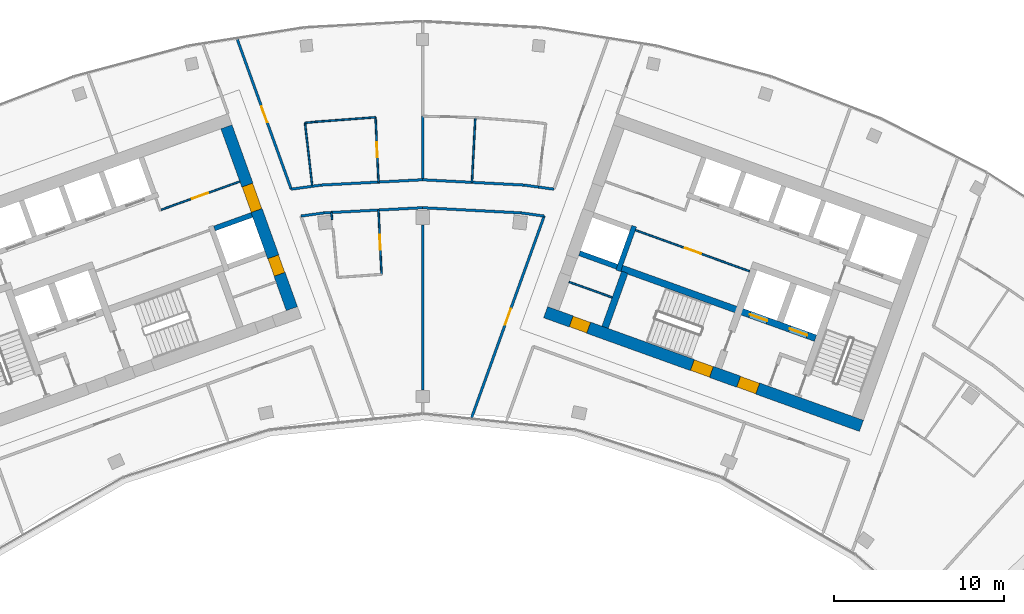
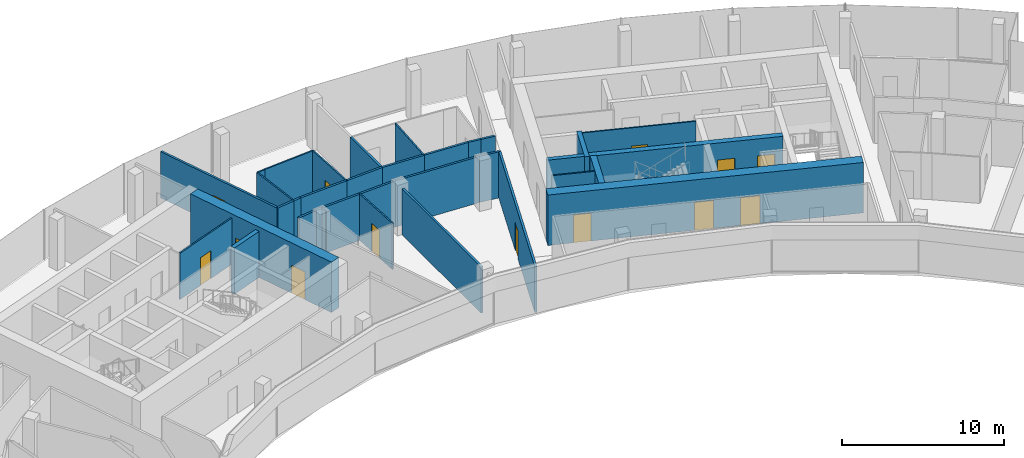
# One storey, part 14 of 18: 35 walls, 13 doors, 13 openings.
"""IFC4 building model written with IfcOpenShell, lengths in metres."""

from ifc_helpers import new_model, si_unit, direction, frame, frame_2d, origin, place, context, subcontext, project, spatial, rectangle, extrude, material, layer, layer_set, type_object, element, fill, save


model = new_model("IFC4")

# Units and contexts
model_context = context("Model", 3, precision=1e-05, world=origin(), true_north=direction((0.0, 1.0)))
body_context = subcontext(model_context, "Body", "Model", "MODEL_VIEW")
ifc_project = project(units=[si_unit("LENGTHUNIT", "METRE"), si_unit("AREAUNIT", "SQUARE_METRE"), si_unit("VOLUMEUNIT", "CUBIC_METRE"), si_unit("PLANEANGLEUNIT", "RADIAN"), si_unit("MASSUNIT", "GRAM", prefix="KILO")], contexts=[model_context])

# Site, building, storey
site_placement = place(None, origin())
site = spatial("IfcSite", under=ifc_project, at=site_placement, CompositionType="ELEMENT")
building_placement = place(site_placement, origin())
building = spatial("IfcBuilding", under=site, at=building_placement, Name="Stone Belt Terrace Tower", CompositionType="ELEMENT")
storey_placement = place(building_placement, frame((0.0, 0.0, 288.39990234375)))
storey = spatial("IfcBuildingStorey", under=building, at=storey_placement, Name="L70", CompositionType="ELEMENT", Elevation=288.39990234375)

# Wall, opening, door
ifc_material_1 = material(Name="Plasterboard partition")
ifc_layer_1 = layer(ifc_material_1, 0.10009765625)
ifc_layer_set_1 = layer_set([ifc_layer_1], Name="Core partition 100")
wall_type_1 = type_object("IfcWallType", Name="Core partition 100", PredefinedType="PARTITIONING", material=ifc_layer_set_1)
wall_1_placement = place(storey_placement, frame((-15.43798828125, 55.447998046875, 0.0), z_axis=(0.0, 0.0, 1.0), x_axis=(0.940914445113, 0.338644366522, 0.0)))
wall_1 = element("IfcWall", 1, at=wall_1_placement, inside=storey, type_object=wall_type_1, Name="Core A wall", PredefinedType="PARTITIONING", context=body_context, shape_type="SweptSolid", body=[
    extrude(rectangle(XDim=4.949951171875, YDim=0.10009765625, at=frame_2d((2.47509765625, 0.0))), origin(), (0.0, 0.0, 1.0), 3.47998046875),
])
opening_1_placement = place(wall_1_placement, frame((1.949951171875, 0.0, 0.0)))
opening_1 = element("IfcOpeningElement", 2, at=opening_1_placement, cuts=wall_1, Name="Opening L70-C01", PredefinedType="OPENING", context=body_context, shape_type="SweptSolid", body=[
    extrude(rectangle(XDim=1.0, YDim=2.10009765625, at=frame_2d((0.5, 1.050048828125))), frame((0.0, 0.06005859375, 0.0), z_axis=(0.0, -1.0, 0.0), x_axis=(1.0, 0.0, 0.0)), (0.0, 0.0, 1.0), 0.1201171875),
])
ifc_material_2 = material(Name="Timber door leaf", Category="wood")
door_type_1 = type_object("IfcDoorType", Name="Core room door 1000", OperationType="SINGLE_SWING_LEFT", PredefinedType="DOOR", material=ifc_material_2)
door_1_placement = place(opening_1_placement, origin())
door_1 = element("IfcDoor", 3, at=door_1_placement, inside=storey, type_object=door_type_1, Name="Door to Server room core A", OperationType="SINGLE_SWING_RIGHT", OverallHeight=2.10009765625, OverallWidth=1.0, PredefinedType="DOOR", context=body_context, shape_type="SweptSolid", body=[
    extrude(rectangle(XDim=1.0, YDim=2.10009765625, at=frame_2d((0.5, 1.050048828125))), frame((0.0, 0.02490234375, 0.0), z_axis=(0.0, -1.0, 0.0), x_axis=(1.0, 0.0, 0.0)), (0.0, 0.0, 1.0), 0.050048828125),
])
fill(opening_1, door_1)

wall_2_placement = place(storey_placement, frame((19.29052734375, 51.829833984375, 0.0), z_axis=(0.0, 0.0, 1.0), x_axis=(-0.94092179465, 0.338623945331, 0.0)))
wall_2 = element("IfcWall", 4, at=wall_2_placement, inside=storey, type_object=wall_type_1, Name="Core B wall", PredefinedType="PARTITIONING", context=body_context, shape_type="SweptSolid", body=[
    extrude(rectangle(XDim=7.14990234375, YDim=0.10009765625, at=frame_2d((3.574951171875, 0.0))), origin(), (0.0, 0.0, 1.0), 3.47998046875),
])
opening_2_placement = place(wall_2_placement, frame((3.050048828125, 0.0, 0.0)))
opening_2 = element("IfcOpeningElement", 5, at=opening_2_placement, cuts=wall_2, Name="Opening L70-C13", PredefinedType="OPENING", context=body_context, shape_type="SweptSolid", body=[
    extrude(rectangle(XDim=1.0, YDim=2.10009765625, at=frame_2d((0.5, 1.050048828125))), frame((0.0, 0.06005859375, 0.0), z_axis=(0.0, -1.0, 0.0), x_axis=(1.0, 0.0, 0.0)), (0.0, 0.0, 1.0), 0.1201171875),
])
door_2_placement = place(opening_2_placement, origin())
door_2 = element("IfcDoor", 6, at=door_2_placement, inside=storey, type_object=door_type_1, Name="Door to Plant room core B", OperationType="SINGLE_SWING_LEFT", OverallHeight=2.10009765625, OverallWidth=1.0, PredefinedType="DOOR", context=body_context, shape_type="SweptSolid", body=[
    extrude(rectangle(XDim=1.0, YDim=2.10009765625, at=frame_2d((0.5, 1.050048828125))), frame((0.0, 0.02490234375, 0.0), z_axis=(0.0, -1.0, 0.0), x_axis=(1.0, 0.0, 0.0)), (0.0, 0.0, 1.0), 0.050048828125),
])
fill(opening_2, door_2)

# Wall
wall_3_placement = place(storey_placement, frame((11.187744140625, 50.2822265625, 0.0), z_axis=(0.0, 0.0, 1.0), x_axis=(-0.940949642365, 0.338546555931, 0.0)))
element("IfcWall", 7, at=wall_3_placement, inside=storey, type_object=wall_type_1, Name="Core B wall", PredefinedType="PARTITIONING", context=body_context, shape_type="SweptSolid", body=[
    extrude(rectangle(XDim=2.699951171875, YDim=0.10009765625, at=frame_2d((1.35009765625, 0.0))), origin(), (0.0, 0.0, 1.0), 3.47998046875),
])

# Wall, openings, doors
ifc_material_3 = material(Name="Concrete B60", Category="concrete")
ifc_layer_2 = layer(ifc_material_3, 0.699951171875)
ifc_layer_set_2 = layer_set([ifc_layer_2], Name="Core wall 700 B60")
wall_type_2 = type_object("IfcWallType", Name="Core wall 700 B60", PredefinedType="SHEAR", material=ifc_layer_set_2)
wall_4_placement = place(storey_placement, frame((-7.70849609375, 49.621337890625, 0.0), z_axis=(0.0, 0.0, 1.0), x_axis=(-0.338606471282, 0.940928083121, 0.0)))
wall_4 = element("IfcWall", 8, at=wall_4_placement, inside=storey, type_object=wall_type_2, Name="Core A wall end_b L70", PredefinedType="SHEAR", context=body_context, shape_type="SweptSolid", body=[
    extrude(rectangle(XDim=11.39990234375, YDim=0.699951171875, at=frame_2d((5.699951171875, 0.0))), origin(), (0.0, 0.0, 1.0), 3.800048828125),
])
opening_3_placement = place(wall_4_placement, frame((6.14990234375, 0.0, 0.0)))
opening_3 = element("IfcOpeningElement", 9, at=opening_3_placement, cuts=wall_4, Name="Opening L70-C04", PredefinedType="OPENING", context=body_context, shape_type="SweptSolid", body=[
    extrude(rectangle(XDim=1.60009765625, YDim=2.10009765625, at=frame_2d((0.800048828125, 1.050048828125))), frame((0.0, 0.35986328125, 0.0), z_axis=(0.0, -1.0, 0.0), x_axis=(1.0, 0.0, 0.0)), (0.0, 0.0, 1.0), 0.719970703125),
])
opening_4_placement = place(wall_4_placement, frame((2.14990234375, 0.0, 0.0)))
opening_4 = element("IfcOpeningElement", 10, at=opening_4_placement, cuts=wall_4, Name="Opening L70-C10", PredefinedType="OPENING", context=body_context, shape_type="SweptSolid", body=[
    extrude(rectangle(XDim=1.10009765625, YDim=2.10009765625, at=frame_2d((0.550048828125, 1.050048828125))), frame((0.0, 0.35986328125, 0.0), z_axis=(0.0, -1.0, 0.0), x_axis=(1.0, 0.0, 0.0)), (0.0, 0.0, 1.0), 0.719970703125),
])
door_type_2 = type_object("IfcDoorType", Name="Core room door 1100", OperationType="SINGLE_SWING_LEFT", PredefinedType="DOOR", material=ifc_material_2)
door_3_placement = place(opening_4_placement, origin())
door_3 = element("IfcDoor", 11, at=door_3_placement, inside=storey, type_object=door_type_2, Name="Door to Accessible WC core A", OperationType="SINGLE_SWING_LEFT", OverallHeight=2.10009765625, OverallWidth=1.10009765625, PredefinedType="DOOR", context=body_context, shape_type="SweptSolid", body=[
    extrude(rectangle(XDim=1.10009765625, YDim=2.10009765625, at=frame_2d((0.550048828125, 1.050048828125))), frame((0.0, 0.330078125, 0.0), z_axis=(0.0, -1.0, 0.0), x_axis=(1.0, 0.0, 0.0)), (0.0, 0.0, 1.0), 0.659912109375),
])
fill(opening_4, door_3)
ifc_material_4 = material(Name="Glazed aluminium door leaf", Category="aluminium")
door_type_3 = type_object("IfcDoorType", Name="Lift lobby entrance door 1600", OperationType="DOUBLE_DOOR_SINGLE_SWING", PredefinedType="DOOR", material=ifc_material_4)
door_4_placement = place(opening_3_placement, origin())
door_4 = element("IfcDoor", 12, at=door_4_placement, inside=storey, type_object=door_type_3, Name="Lift lobby entrance door core A", OperationType="DOUBLE_DOOR_SINGLE_SWING", OverallHeight=2.10009765625, OverallWidth=1.60009765625, PredefinedType="DOOR", context=body_context, shape_type="SweptSolid", body=[
    extrude(rectangle(XDim=1.60009765625, YDim=2.10009765625, at=frame_2d((0.800048828125, 1.050048828125))), frame((0.0, 0.330078125, 0.0), z_axis=(0.0, -1.0, 0.0), x_axis=(1.0, 0.0, 0.0)), (0.0, 0.0, 1.0), 0.659912109375),
])
fill(opening_3, door_4)

wall_5_placement = place(storey_placement, frame((7.260498046875, 49.410400390625, 0.0), z_axis=(0.0, 0.0, 1.0), x_axis=(0.940925130461, -0.338614676094, 0.0)))
wall_5 = element("IfcWall", 13, at=wall_5_placement, inside=storey, type_object=wall_type_2, Name="Core B wall concave L70", PredefinedType="SHEAR", context=body_context, shape_type="SweptSolid", body=[
    extrude(rectangle(XDim=19.800048828125, YDim=0.699951171875, at=frame_2d((9.89990234375, 0.0))), origin(), (0.0, 0.0, 1.0), 3.800048828125),
])
opening_5_placement = place(wall_5_placement, frame((12.10009765625, 0.0, 0.0)))
opening_5 = element("IfcOpeningElement", 14, at=opening_5_placement, cuts=wall_5, Name="Opening L70-C18", PredefinedType="OPENING", context=body_context, shape_type="SweptSolid", body=[
    extrude(rectangle(XDim=1.199951171875, YDim=2.10009765625, at=frame_2d((0.60009765625, 1.050048828125))), frame((0.0, 0.35986328125, 0.0), z_axis=(0.0, -1.0, 0.0), x_axis=(1.0, 0.0, 0.0)), (0.0, 0.0, 1.0), 0.719970703125),
])
opening_6_placement = place(wall_5_placement, frame((9.2001953125, 0.0, 0.0)))
opening_6 = element("IfcOpeningElement", 15, at=opening_6_placement, cuts=wall_5, Name="Opening L70-C20", PredefinedType="OPENING", context=body_context, shape_type="SweptSolid", body=[
    extrude(rectangle(XDim=1.199951171875, YDim=2.10009765625, at=frame_2d((0.60009765625, 1.050048828125))), frame((0.0, 0.35986328125, 0.0), z_axis=(0.0, -1.0, 0.0), x_axis=(1.0, 0.0, 0.0)), (0.0, 0.0, 1.0), 0.719970703125),
])
opening_7_placement = place(wall_5_placement, frame((1.60009765625, 0.0, 0.0)))
opening_7 = element("IfcOpeningElement", 16, at=opening_7_placement, cuts=wall_5, Name="Opening L70-C22", PredefinedType="OPENING", context=body_context, shape_type="SweptSolid", body=[
    extrude(rectangle(XDim=1.10009765625, YDim=2.10009765625, at=frame_2d((0.550048828125, 1.050048828125))), frame((0.0, 0.35986328125, 0.0), z_axis=(0.0, -1.0, 0.0), x_axis=(1.0, 0.0, 0.0)), (0.0, 0.0, 1.0), 0.719970703125),
])
door_5_placement = place(opening_7_placement, origin())
door_5 = element("IfcDoor", 17, at=door_5_placement, inside=storey, type_object=door_type_2, Name="Door to Cleaner's store core B", OperationType="SINGLE_SWING_LEFT", OverallHeight=2.10009765625, OverallWidth=1.10009765625, PredefinedType="DOOR", context=body_context, shape_type="SweptSolid", body=[
    extrude(rectangle(XDim=1.10009765625, YDim=2.10009765625, at=frame_2d((0.550048828125, 1.050048828125))), frame((0.0, 0.330078125, 0.0), z_axis=(0.0, -1.0, 0.0), x_axis=(1.0, 0.0, 0.0)), (0.0, 0.0, 1.0), 0.659912109375),
])
fill(opening_7, door_5)
ifc_material_5 = material(Name="Steel door leaf", Category="steel")
door_type_4 = type_object("IfcDoorType", Name="Fire-fighting lobby door 1200", OperationType="SINGLE_SWING_LEFT", PredefinedType="DOOR", material=ifc_material_5)
door_6_placement = place(opening_5_placement, origin())
door_6 = element("IfcDoor", 18, at=door_6_placement, inside=storey, type_object=door_type_4, Name="Fire-fighting lobby door core B", OperationType="SINGLE_SWING_LEFT", OverallHeight=2.10009765625, OverallWidth=1.199951171875, PredefinedType="DOOR", context=body_context, shape_type="SweptSolid", body=[
    extrude(rectangle(XDim=1.199951171875, YDim=2.10009765625, at=frame_2d((0.60009765625, 1.050048828125))), frame((0.0, 0.330078125, 0.0), z_axis=(0.0, -1.0, 0.0), x_axis=(1.0, 0.0, 0.0)), (0.0, 0.0, 1.0), 0.659912109375),
])
fill(opening_5, door_6)
door_type_5 = type_object("IfcDoorType", Name="Stair door 1200", OperationType="SINGLE_SWING_LEFT", PredefinedType="DOOR", material=ifc_material_5)
door_7_placement = place(opening_6_placement, origin())
door_7 = element("IfcDoor", 19, at=door_7_placement, inside=storey, type_object=door_type_5, Name="Stair 2 exit door core B", OperationType="SINGLE_SWING_RIGHT", OverallHeight=2.10009765625, OverallWidth=1.199951171875, PredefinedType="DOOR", context=body_context, shape_type="SweptSolid", body=[
    extrude(rectangle(XDim=1.199951171875, YDim=2.10009765625, at=frame_2d((0.60009765625, 1.050048828125))), frame((0.0, 0.330078125, 0.0), z_axis=(0.0, -1.0, 0.0), x_axis=(1.0, 0.0, 0.0)), (0.0, 0.0, 1.0), 0.659912109375),
])
fill(opening_6, door_7)

# Walls
ifc_material_6 = material(Name="Concrete B80", Category="concrete")
ifc_layer_3 = layer(ifc_material_6, 0.300048828125)
ifc_layer_set_3 = layer_set([ifc_layer_3], Name="Lift shaft wall 300")
wall_type_3 = type_object("IfcWallType", Name="Lift shaft wall 300", PredefinedType="SHEAR", material=ifc_layer_set_3)
wall_6_placement = place(storey_placement, frame((-12.280517578125, 54.3525390625, 0.0), z_axis=(0.0, 0.0, 1.0), x_axis=(0.940925816745, 0.338612769078, 0.0)))
element("IfcWall", 20, at=wall_6_placement, inside=storey, type_object=wall_type_3, Name="Core A wall", PredefinedType="SHEAR", context=body_context, shape_type="SweptSolid", body=[
    extrude(rectangle(XDim=2.349853515625, YDim=0.300048828125, at=frame_2d((1.1748046875, 0.0))), origin(), (0.0, 0.0, 1.0), 3.47998046875),
])
wall_7_placement = place(storey_placement, frame((11.541259765625, 51.85546875, 0.0), z_axis=(0.0, 0.0, 1.0), x_axis=(0.338660803216, 0.940908529223, 0.0)))
element("IfcWall", 21, at=wall_7_placement, inside=storey, type_object=wall_type_3, Name="Core B wall", PredefinedType="SHEAR", context=body_context, shape_type="SweptSolid", body=[
    extrude(rectangle(XDim=2.800048828125, YDim=0.300048828125, at=frame_2d((1.39990234375, 0.0))), origin(), (0.0, 0.0, 1.0), 3.47998046875),
])
wall_8_placement = place(storey_placement, frame((11.468017578125, 52.09423828125, 0.0), z_axis=(0.0, 0.0, 1.0), x_axis=(-0.940904627055, 0.338671644496, 0.0)))
element("IfcWall", 22, at=wall_8_placement, inside=storey, type_object=wall_type_3, Name="Core B wall", PredefinedType="SHEAR", context=body_context, shape_type="SweptSolid", body=[
    extrude(rectangle(XDim=2.35009765625, YDim=0.300048828125, at=frame_2d((1.175048828125, 0.0))), origin(), (0.0, 0.0, 1.0), 3.47998046875),
])
ifc_material_7 = material(Name="Gypsum board partition")
ifc_layer_4 = layer(ifc_material_7, 0.10009765625)
ifc_layer_set_4 = layer_set([ifc_layer_4], Name="PARTITION 100")
wall_type_4 = type_object("IfcWallType", Name="PARTITION 100", PredefinedType="PARTITIONING", material=ifc_layer_set_4)
wall_9_placement = place(storey_placement, frame((-5.3759765625, 55.2939453125, 0.0), z_axis=(0.0, 0.0, 1.0), x_axis=(0.096947507104, -0.995289496009, 0.0)))
element("IfcWall", 23, at=wall_9_placement, inside=storey, type_object=wall_type_4, Name="L70/wall/i093", PredefinedType="PARTITIONING", context=body_context, shape_type="SweptSolid", body=[
    extrude(rectangle(XDim=0.425537109375, YDim=0.10009765625, at=frame_2d((0.212890625, 0.0))), origin(), (0.0, 0.0, 1.0), 3.47998046875),
])

# Wall, opening, door
wall_10_placement = place(storey_placement, frame((-2.4208984375, 51.64697265625, 0.0), z_axis=(0.0, 0.0, 1.0), x_axis=(-0.04662705809, 0.998912367254, 0.0)))
wall_10 = element("IfcWall", 24, at=wall_10_placement, inside=storey, type_object=wall_type_4, Name="L70/wall/i096", PredefinedType="PARTITIONING", context=body_context, shape_type="SweptSolid", body=[
    extrude(rectangle(XDim=3.796142578125, YDim=0.10009765625, at=frame_2d((1.89794921875, 0.0))), origin(), (0.0, 0.0, 1.0), 3.47998046875),
])
opening_8_placement = place(wall_10_placement, frame((1.447998046875, 0.0, 0.0)))
opening_8 = element("IfcOpeningElement", 25, at=opening_8_placement, cuts=wall_10, Name="Opening D-E3-25", PredefinedType="OPENING", context=body_context, shape_type="SweptSolid", body=[
    extrude(rectangle(XDim=0.89990234375, YDim=2.10009765625, at=frame_2d((0.449951171875, 1.050048828125))), frame((0.0, 0.06005859375, 0.0), z_axis=(0.0, -1.0, 0.0), x_axis=(1.0, 0.0, 0.0)), (0.0, 0.0, 1.0), 0.1201171875),
])
door_type_6 = type_object("IfcDoorType", Name="OFFICE DOOR 900 X 2100", OperationType="NOTDEFINED", PredefinedType="DOOR", material=ifc_material_2)
door_8_placement = place(opening_8_placement, origin())
door_8 = element("IfcDoor", 26, at=door_8_placement, inside=storey, type_object=door_type_6, Name="L70/door/i25", OperationType="SINGLE_SWING_RIGHT", OverallHeight=2.10009765625, OverallWidth=0.89990234375, PredefinedType="DOOR", context=body_context, shape_type="SweptSolid", body=[
    extrude(rectangle(XDim=0.89990234375, YDim=2.10009765625, at=frame_2d((0.449951171875, 1.050048828125))), frame((0.0, 0.02490234375, 0.0), z_axis=(0.0, -1.0, 0.0), x_axis=(1.0, 0.0, 0.0)), (0.0, 0.0, 1.0), 0.050048828125),
])
fill(opening_8, door_8)

wall_11_placement = place(storey_placement, frame((-2.597900390625, 57.089111328125, 0.0), z_axis=(0.0, 0.0, 1.0), x_axis=(-0.045511896939, 0.99896379676, 0.0)))
wall_11 = element("IfcWall", 27, at=wall_11_placement, inside=storey, type_object=wall_type_4, Name="L70/wall/i099", PredefinedType="PARTITIONING", context=body_context, shape_type="SweptSolid", body=[
    extrude(rectangle(XDim=3.82470703125, YDim=0.10009765625, at=frame_2d((1.912353515625, 0.0))), origin(), (0.0, 0.0, 1.0), 3.47998046875),
])
opening_9_placement = place(wall_11_placement, frame((1.46240234375, 0.0, 0.0)))
opening_9 = element("IfcOpeningElement", 28, at=opening_9_placement, cuts=wall_11, Name="Opening D-E3-28", PredefinedType="OPENING", context=body_context, shape_type="SweptSolid", body=[
    extrude(rectangle(XDim=0.89990234375, YDim=2.10009765625, at=frame_2d((0.449951171875, 1.050048828125))), frame((0.0, 0.06005859375, 0.0), z_axis=(0.0, -1.0, 0.0), x_axis=(1.0, 0.0, 0.0)), (0.0, 0.0, 1.0), 0.1201171875),
])
door_9_placement = place(opening_9_placement, origin())
door_9 = element("IfcDoor", 29, at=door_9_placement, inside=storey, type_object=door_type_6, Name="L70/door/i28", OperationType="SINGLE_SWING_RIGHT", OverallHeight=2.10009765625, OverallWidth=0.89990234375, PredefinedType="DOOR", context=body_context, shape_type="SweptSolid", body=[
    extrude(rectangle(XDim=0.89990234375, YDim=2.10009765625, at=frame_2d((0.449951171875, 1.050048828125))), frame((0.0, 0.02490234375, 0.0), z_axis=(0.0, -1.0, 0.0), x_axis=(1.0, 0.0, 0.0)), (0.0, 0.0, 1.0), 0.050048828125),
])
fill(opening_9, door_9)

# Walls
wall_12_placement = place(storey_placement, frame((-2.77197265625, 60.909912109375, 0.0), z_axis=(0.0, 0.0, 1.0), x_axis=(-0.997180370345, -0.075042048209, 0.0)))
element("IfcWall", 30, at=wall_12_placement, inside=storey, type_object=wall_type_4, Name="L70/wall/i100", PredefinedType="PARTITIONING", context=body_context, shape_type="SweptSolid", body=[
    extrude(rectangle(XDim=3.611328125, YDim=0.10009765625, at=frame_2d((1.8056640625, 0.0))), origin(), (0.0, 0.0, 1.0), 3.47998046875),
])
wall_13_placement = place(storey_placement, frame((-6.373046875, 60.638916015625, 0.0), z_axis=(0.0, 0.0, 1.0), x_axis=(-0.993946868036, -0.109861838329, 0.0)))
element("IfcWall", 31, at=wall_13_placement, inside=storey, type_object=wall_type_4, Name="L70/wall/i101", PredefinedType="PARTITIONING", context=body_context, shape_type="SweptSolid", body=[
    extrude(rectangle(XDim=0.564453125, YDim=0.10009765625, at=frame_2d((0.2822265625, 0.0))), origin(), (0.0, 0.0, 1.0), 3.47998046875),
])
wall_14_placement = place(storey_placement, frame((-6.93408203125, 60.576904296875, 0.0), z_axis=(0.0, 0.0, 1.0), x_axis=(0.113786402669, -0.993505236306, 0.0)))
element("IfcWall", 32, at=wall_14_placement, inside=storey, type_object=wall_type_4, Name="L70/wall/i102", PredefinedType="PARTITIONING", context=body_context, shape_type="SweptSolid", body=[
    extrude(rectangle(XDim=3.76123046875, YDim=0.10009765625, at=frame_2d((1.880615234375, 0.0))), origin(), (0.0, 0.0, 1.0), 3.47998046875),
])
wall_15_placement = place(storey_placement, frame((3.111083984375, 60.89404296875, 0.0), z_axis=(0.0, 0.0, 1.0), x_axis=(-0.050971662718, -0.99870009993, 0.0)))
element("IfcWall", 33, at=wall_15_placement, inside=storey, type_object=wall_type_4, Name="L70/wall/i110", PredefinedType="PARTITIONING", context=body_context, shape_type="SweptSolid", body=[
    extrude(rectangle(XDim=3.826904296875, YDim=0.10009765625, at=frame_2d((1.91357421875, 0.0))), origin(), (0.0, 0.0, 1.0), 3.47998046875),
])

# Wall, opening, door
ifc_layer_5 = layer(ifc_material_7, 0.14990234375)
ifc_layer_set_5 = layer_set([ifc_layer_5], Name="PARTITION 150 EI 60")
wall_type_5 = type_object("IfcWallType", Name="PARTITION 150 EI 60", PredefinedType="PARTITIONING", material=ifc_layer_set_5)
wall_16_placement = place(storey_placement, frame((-10.9267578125, 65.504150390625, 0.0), z_axis=(0.0, 0.0, 1.0), x_axis=(0.338644933311, -0.94091424112, 0.0)))
wall_16 = element("IfcWall", 34, at=wall_16_placement, inside=storey, type_object=wall_type_5, Name="L70/wall/i012", PredefinedType="PARTITIONING", context=body_context, shape_type="SweptSolid", body=[
    extrude(rectangle(XDim=9.395263671875, YDim=0.14990234375, at=frame_2d((4.69775390625, 0.0))), origin(), (0.0, 0.0, 1.0), 3.47998046875),
])
opening_10_placement = place(wall_16_placement, frame((4.19775390625, 0.0, 0.0)))
opening_10 = element("IfcOpeningElement", 35, at=opening_10_placement, cuts=wall_16, Name="Opening D-E3-27", PredefinedType="OPENING", context=body_context, shape_type="SweptSolid", body=[
    extrude(rectangle(XDim=1.0, YDim=2.10009765625, at=frame_2d((0.5, 1.050048828125))), frame((0.0, 0.0849609375, 0.0), z_axis=(0.0, -1.0, 0.0), x_axis=(1.0, 0.0, 0.0)), (0.0, 0.0, 1.0), 0.169921875),
])
ifc_material_8 = material(Name="Timber fire door leaf", Category="wood")
door_type_7 = type_object("IfcDoorType", Name="TENANCY ENTRANCE DOOR 1000 X 2100", OperationType="NOTDEFINED", PredefinedType="DOOR", material=ifc_material_8)
door_10_placement = place(opening_10_placement, origin())
door_10 = element("IfcDoor", 36, at=door_10_placement, inside=storey, type_object=door_type_7, Name="L70/door/i27", OperationType="SINGLE_SWING_RIGHT", OverallHeight=2.10009765625, OverallWidth=1.0, PredefinedType="DOOR", context=body_context, shape_type="SweptSolid", body=[
    extrude(rectangle(XDim=1.0, YDim=2.10009765625, at=frame_2d((0.5, 1.050048828125))), frame((0.0, 0.02490234375, 0.0), z_axis=(0.0, -1.0, 0.0), x_axis=(1.0, 0.0, 0.0)), (0.0, 0.0, 1.0), 0.050048828125),
])
fill(opening_10, door_10)

wall_17_placement = place(storey_placement, frame((2.89794921875, 43.1953125, 0.0), z_axis=(0.0, 0.0, 1.0), x_axis=(0.338597725617, 0.940931230328, 0.0)))
wall_17 = element("IfcWall", 37, at=wall_17_placement, inside=storey, type_object=wall_type_5, Name="L70/wall/i019", PredefinedType="PARTITIONING", context=body_context, shape_type="SweptSolid", body=[
    extrude(rectangle(XDim=12.640380859375, YDim=0.14990234375, at=frame_2d((6.3203125, 0.0))), origin(), (0.0, 0.0, 1.0), 3.47998046875),
])
opening_11_placement = place(wall_17_placement, frame((5.820068359375, 0.0, 0.0)))
opening_11 = element("IfcOpeningElement", 38, at=opening_11_placement, cuts=wall_17, Name="Opening D-E3-26", PredefinedType="OPENING", context=body_context, shape_type="SweptSolid", body=[
    extrude(rectangle(XDim=1.0, YDim=2.10009765625, at=frame_2d((0.5, 1.050048828125))), frame((0.0, 0.0849609375, 0.0), z_axis=(0.0, -1.0, 0.0), x_axis=(1.0, 0.0, 0.0)), (0.0, 0.0, 1.0), 0.169921875),
])
door_11_placement = place(opening_11_placement, origin())
door_11 = element("IfcDoor", 39, at=door_11_placement, inside=storey, type_object=door_type_7, Name="L70/door/i26", OperationType="SINGLE_SWING_LEFT", OverallHeight=2.10009765625, OverallWidth=1.0, PredefinedType="DOOR", context=body_context, shape_type="SweptSolid", body=[
    extrude(rectangle(XDim=1.0, YDim=2.10009765625, at=frame_2d((0.5, 1.050048828125))), frame((0.0, 0.02490234375, 0.0), z_axis=(0.0, -1.0, 0.0), x_axis=(1.0, 0.0, 0.0)), (0.0, 0.0, 1.0), 0.050048828125),
])
fill(opening_11, door_11)

# Walls
wall_18_placement = place(storey_placement, frame((-5.3701171875, 55.2939453125, 0.0), z_axis=(0.0, 0.0, 1.0), x_axis=(-0.998636179608, -0.052209010502, 0.0)))
element("IfcWall", 40, at=wall_18_placement, inside=storey, type_object=wall_type_5, Name="L70/wall/i079", PredefinedType="PARTITIONING", context=body_context, shape_type="SweptSolid", body=[
    extrude(rectangle(XDim=0.439453125, YDim=0.14990234375, at=frame_2d((0.2197265625, 0.0))), origin(), (0.0, 0.0, 1.0), 3.47998046875),
])
wall_19_placement = place(storey_placement, frame((-5.80908203125, 55.27099609375, 0.0), z_axis=(0.0, 0.0, 1.0), x_axis=(-0.990675556397, -0.136242217972, 0.0)))
element("IfcWall", 41, at=wall_19_placement, inside=storey, type_object=wall_type_5, Name="L70/wall/i080", PredefinedType="PARTITIONING", context=body_context, shape_type="SweptSolid", body=[
    extrude(rectangle(XDim=1.3798828125, YDim=0.14990234375, at=frame_2d((0.68994140625, 0.0))), origin(), (0.0, 0.0, 1.0), 3.47998046875),
])
wall_20_placement = place(storey_placement, frame((0.0, 55.574951171875, 0.0), z_axis=(0.0, 0.0, 1.0), x_axis=(-0.998639213292, -0.052150950854, 0.0)))
element("IfcWall", 42, at=wall_20_placement, inside=storey, type_object=wall_type_5, Name="L70/wall/i081", PredefinedType="PARTITIONING", context=body_context, shape_type="SweptSolid", body=[
    extrude(rectangle(XDim=2.607666015625, YDim=0.14990234375, at=frame_2d((1.3037109375, 0.0))), origin(), (0.0, 0.0, 1.0), 3.47998046875),
])
wall_21_placement = place(storey_placement, frame((-2.592041015625, 55.43896484375, 0.0), z_axis=(0.0, 0.0, 1.0), x_axis=(-0.998633715492, -0.052256121969, 0.0)))
element("IfcWall", 43, at=wall_21_placement, inside=storey, type_object=wall_type_5, Name="L70/wall/i082", PredefinedType="PARTITIONING", context=body_context, shape_type="SweptSolid", body=[
    extrude(rectangle(XDim=2.7939453125, YDim=0.14990234375, at=frame_2d((1.39697265625, 0.0))), origin(), (0.0, 0.0, 1.0), 3.47998046875),
])
wall_22_placement = place(storey_placement, frame((7.176025390625, 55.0830078125, 0.0), z_axis=(0.0, 0.0, 1.0), x_axis=(-0.990675556397, 0.136242217972, 0.0)))
element("IfcWall", 44, at=wall_22_placement, inside=storey, type_object=wall_type_5, Name="L70/wall/i083", PredefinedType="PARTITIONING", context=body_context, shape_type="SweptSolid", body=[
    extrude(rectangle(XDim=1.3798828125, YDim=0.14990234375, at=frame_2d((0.68994140625, 0.0))), origin(), (0.0, 0.0, 1.0), 3.47998046875),
])
wall_23_placement = place(storey_placement, frame((5.80908203125, 55.27099609375, 0.0), z_axis=(0.0, 0.0, 1.0), x_axis=(-0.998633897938, 0.052252635241, 0.0)))
element("IfcWall", 45, at=wall_23_placement, inside=storey, type_object=wall_type_5, Name="L70/wall/i084", PredefinedType="PARTITIONING", context=body_context, shape_type="SweptSolid", body=[
    extrude(rectangle(XDim=5.817138671875, YDim=0.14990234375, at=frame_2d((2.90869140625, 0.0))), origin(), (0.0, 0.0, 1.0), 3.47998046875),
])
wall_24_placement = place(storey_placement, frame((-7.7470703125, 56.669921875, 0.0), z_axis=(0.0, 0.0, 1.0), x_axis=(0.990714141078, 0.135961357262, 0.0)))
element("IfcWall", 46, at=wall_24_placement, inside=storey, type_object=wall_type_5, Name="L70/wall/i085", PredefinedType="PARTITIONING", context=body_context, shape_type="SweptSolid", body=[
    extrude(rectangle(XDim=1.2587890625, YDim=0.14990234375, at=frame_2d((0.62939453125, 0.0))), origin(), (0.0, 0.0, 1.0), 3.47998046875),
])
wall_25_placement = place(storey_placement, frame((-2.60400390625, 57.089111328125, 0.0), z_axis=(0.0, 0.0, 1.0), x_axis=(0.998639213292, 0.052150950854, 0.0)))
element("IfcWall", 47, at=wall_25_placement, inside=storey, type_object=wall_type_5, Name="L70/wall/i086", PredefinedType="PARTITIONING", context=body_context, shape_type="SweptSolid", body=[
    extrude(rectangle(XDim=2.607666015625, YDim=0.14990234375, at=frame_2d((1.3037109375, 0.0))), origin(), (0.0, 0.0, 1.0), 3.47998046875),
])
wall_26_placement = place(storey_placement, frame((-6.511962890625, 56.839111328125, 0.0), z_axis=(0.0, 0.0, 1.0), x_axis=(0.990648796321, 0.136436660571, 0.0)))
element("IfcWall", 48, at=wall_26_placement, inside=storey, type_object=wall_type_5, Name="L70/wall/i087", PredefinedType="PARTITIONING", context=body_context, shape_type="SweptSolid", body=[
    extrude(rectangle(XDim=0.534912109375, YDim=0.14990234375, at=frame_2d((0.267578125, 0.0))), origin(), (0.0, 0.0, 1.0), 3.47998046875),
])
wall_27_placement = place(storey_placement, frame((-5.98193359375, 56.912109375, 0.0), z_axis=(0.0, 0.0, 1.0), x_axis=(0.998639597809, 0.05214358721, 0.0)))
element("IfcWall", 49, at=wall_27_placement, inside=storey, type_object=wall_type_5, Name="L70/wall/i088", PredefinedType="PARTITIONING", context=body_context, shape_type="SweptSolid", body=[
    extrude(rectangle(XDim=3.39453125, YDim=0.14990234375, at=frame_2d((1.697265625, 0.0))), origin(), (0.0, 0.0, 1.0), 3.47998046875),
])
wall_28_placement = place(storey_placement, frame((6.81689453125, 56.797119140625, 0.0), z_axis=(0.0, 0.0, 1.0), x_axis=(0.990779460482, -0.135484540397, 0.0)))
element("IfcWall", 50, at=wall_28_placement, inside=storey, type_object=wall_type_5, Name="L70/wall/i089", PredefinedType="PARTITIONING", context=body_context, shape_type="SweptSolid", body=[
    extrude(rectangle(XDim=0.938720703125, YDim=0.14990234375, at=frame_2d((0.46923828125, 0.0))), origin(), (0.0, 0.0, 1.0), 3.47998046875),
])
wall_29_placement = place(storey_placement, frame((0.0, 57.22509765625, 0.0), z_axis=(0.0, 0.0, 1.0), x_axis=(0.998630706257, -0.052313597863, 0.0)))
element("IfcWall", 51, at=wall_29_placement, inside=storey, type_object=wall_type_5, Name="L70/wall/i090", PredefinedType="PARTITIONING", context=body_context, shape_type="SweptSolid", body=[
    extrude(rectangle(XDim=2.926025390625, YDim=0.14990234375, at=frame_2d((1.462890625, 0.0))), origin(), (0.0, 0.0, 1.0), 3.47998046875),
])
wall_30_placement = place(storey_placement, frame((2.909912109375, 57.072998046875, 0.0), z_axis=(0.0, 0.0, 1.0), x_axis=(0.998631388587, -0.052300571015, 0.0)))
element("IfcWall", 52, at=wall_30_placement, inside=storey, type_object=wall_type_5, Name="L70/wall/i091", PredefinedType="PARTITIONING", context=body_context, shape_type="SweptSolid", body=[
    extrude(rectangle(XDim=3.076171875, YDim=0.14990234375, at=frame_2d((1.5380859375, 0.0))), origin(), (0.0, 0.0, 1.0), 3.47998046875),
])
wall_31_placement = place(storey_placement, frame((5.98193359375, 56.912109375, 0.0), z_axis=(0.0, 0.0, 1.0), x_axis=(0.990722135127, -0.13590309404, 0.0)))
element("IfcWall", 53, at=wall_31_placement, inside=storey, type_object=wall_type_5, Name="L70/wall/i092", PredefinedType="PARTITIONING", context=body_context, shape_type="SweptSolid", body=[
    extrude(rectangle(XDim=0.85498046875, YDim=0.14990234375, at=frame_2d((0.427490234375, 0.0))), origin(), (0.0, 0.0, 1.0), 3.47998046875),
])
wall_32_placement = place(storey_placement, frame((0.0, 54.570068359375, 0.0), z_axis=(0.0, 0.0, 1.0), x_axis=(0.0, -1.0, 0.0)))
element("IfcWall", 54, at=wall_32_placement, inside=storey, type_object=wall_type_5, Name="L70/wall/i097", PredefinedType="PARTITIONING", context=body_context, shape_type="SweptSolid", body=[
    extrude(rectangle(XDim=9.7451171875, YDim=0.14990234375, at=frame_2d((4.87255859375, 0.0))), origin(), (0.0, 0.0, 1.0), 3.47998046875),
])
wall_33_placement = place(storey_placement, frame((0.0, 60.97900390625, 0.0), z_axis=(0.0, 0.0, 1.0), x_axis=(0.0, -1.0, 0.0)))
element("IfcWall", 55, at=wall_33_placement, inside=storey, type_object=wall_type_5, Name="L70/wall/i105", PredefinedType="PARTITIONING", context=body_context, shape_type="SweptSolid", body=[
    extrude(rectangle(XDim=3.75390625, YDim=0.14990234375, at=frame_2d((1.876953125, 0.0))), origin(), (0.0, 0.0, 1.0), 3.47998046875),
])

# Wall, openings, doors
ifc_layer_6 = layer(ifc_material_6, 0.39990234375)
ifc_layer_set_6 = layer_set([ifc_layer_6], Name="Stair enclosure wall 400")
wall_type_6 = type_object("IfcWallType", Name="Stair enclosure wall 400", PredefinedType="SHEAR", material=ifc_layer_set_6)
wall_34_placement = place(storey_placement, frame((23.182373046875, 47.87841796875, 0.0), z_axis=(0.0, 0.0, 1.0), x_axis=(-0.940921731919, 0.338624119641, 0.0)))
wall_34 = element("IfcWall", 56, at=wall_34_placement, inside=storey, type_object=wall_type_6, Name="Core B wall", PredefinedType="SHEAR", context=body_context, shape_type="SweptSolid", body=[
    extrude(rectangle(XDim=12.14990234375, YDim=0.39990234375, at=frame_2d((6.074951171875, 0.0))), origin(), (0.0, 0.0, 1.0), 3.47998046875),
])
opening_12_placement = place(wall_34_placement, frame((0.52001953125, 0.0, 0.0)))
opening_12 = element("IfcOpeningElement", 57, at=opening_12_placement, cuts=wall_34, Name="Opening L70-LD12", PredefinedType="OPENING", context=body_context, shape_type="SweptSolid", body=[
    extrude(rectangle(XDim=1.10009765625, YDim=2.199951171875, at=frame_2d((0.550048828125, 1.10009765625))), frame((0.0, 0.2099609375, 0.0), z_axis=(0.0, -1.0, 0.0), x_axis=(1.0, 0.0, 0.0)), (0.0, 0.0, 1.0), 0.419921875),
])
opening_13_placement = place(wall_34_placement, frame((3.02001953125, 0.0, 0.0)))
opening_13 = element("IfcOpeningElement", 58, at=opening_13_placement, cuts=wall_34, Name="Opening L70-LD13", PredefinedType="OPENING", context=body_context, shape_type="SweptSolid", body=[
    extrude(rectangle(XDim=1.10009765625, YDim=2.199951171875, at=frame_2d((0.550048828125, 1.10009765625))), frame((0.0, 0.2099609375, 0.0), z_axis=(0.0, -1.0, 0.0), x_axis=(1.0, 0.0, 0.0)), (0.0, 0.0, 1.0), 0.419921875),
])
ifc_material_9 = material(Name="Stainless steel door leaf", Category="steel")
door_type_8 = type_object("IfcDoorType", Name="Landing door 1100", OperationType="SLIDING_TO_LEFT", PredefinedType="DOOR", material=ifc_material_9)
door_12_placement = place(opening_12_placement, origin())
door_12 = element("IfcDoor", 59, at=door_12_placement, inside=storey, type_object=door_type_8, Name="Landing door FF1 core B", OperationType="SLIDING_TO_LEFT", OverallHeight=2.199951171875, OverallWidth=1.10009765625, PredefinedType="DOOR", context=body_context, shape_type="SweptSolid", body=[
    extrude(rectangle(XDim=1.10009765625, YDim=2.199951171875, at=frame_2d((0.550048828125, 1.10009765625))), frame((0.0, 0.02490234375, 0.0), z_axis=(0.0, -1.0, 0.0), x_axis=(1.0, 0.0, 0.0)), (0.0, 0.0, 1.0), 0.050048828125),
])
fill(opening_12, door_12)
door_13_placement = place(opening_13_placement, origin())
door_13 = element("IfcDoor", 60, at=door_13_placement, inside=storey, type_object=door_type_8, Name="Landing door FF2 core B", OperationType="SLIDING_TO_LEFT", OverallHeight=2.199951171875, OverallWidth=1.10009765625, PredefinedType="DOOR", context=body_context, shape_type="SweptSolid", body=[
    extrude(rectangle(XDim=1.10009765625, YDim=2.199951171875, at=frame_2d((0.550048828125, 1.10009765625))), frame((0.0, 0.02490234375, 0.0), z_axis=(0.0, -1.0, 0.0), x_axis=(1.0, 0.0, 0.0)), (0.0, 0.0, 1.0), 0.050048828125),
])
fill(opening_13, door_13)

# Wall
wall_35_placement = place(storey_placement, frame((10.766357421875, 48.520751953125, 0.0), z_axis=(0.0, 0.0, 1.0), x_axis=(0.338621735342, 0.94092258999, 0.0)))
element("IfcWall", 61, at=wall_35_placement, inside=storey, type_object=wall_type_6, Name="Core B wall", PredefinedType="SHEAR", context=body_context, shape_type="SweptSolid", body=[
    extrude(rectangle(XDim=3.449951171875, YDim=0.39990234375, at=frame_2d((1.72509765625, 0.0))), origin(), (0.0, 0.0, 1.0), 3.47998046875),
])

save(model, "model.ifc")
